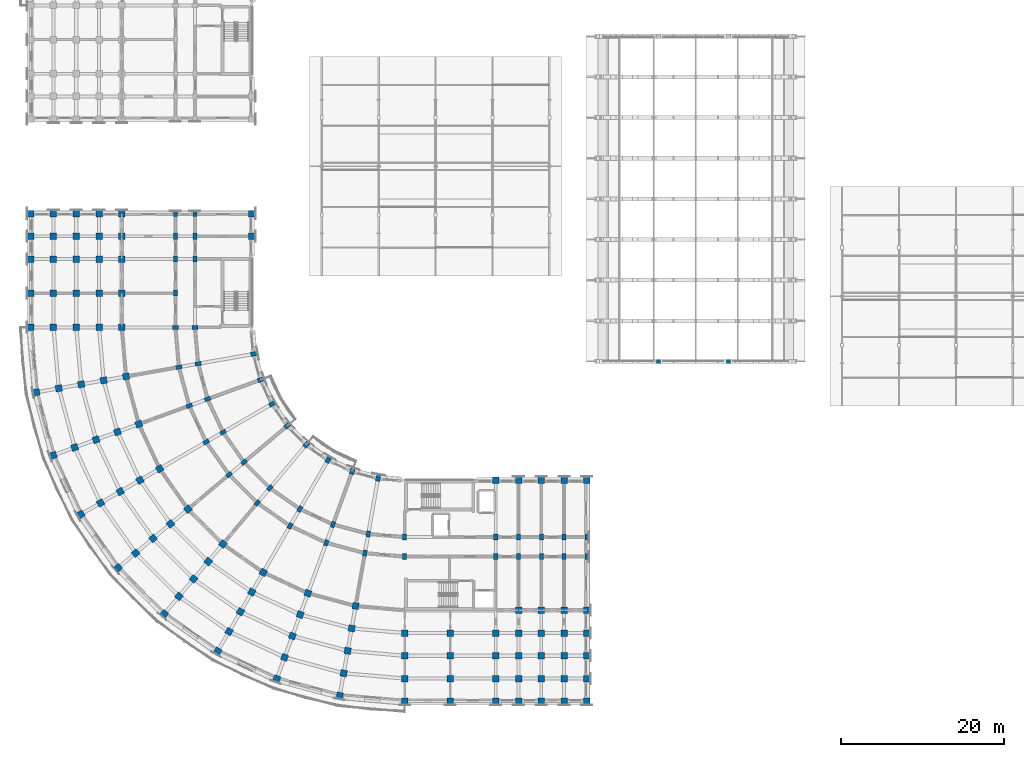
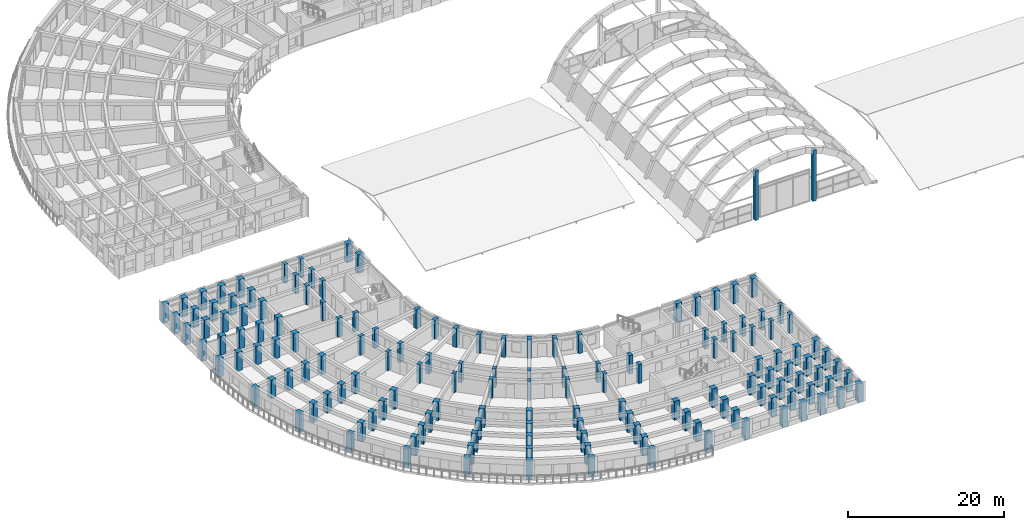
# One storey, part 1 of 76: 151 columns.
"""IFC4 building model written with IfcOpenShell, lengths in metres."""

from ifc_helpers import new_model, si_unit, direction, frame, origin, origin_2d, place, context, subcontext, project, spatial, rectangle, extrude, material, material_profile, profile_set, type_object, element, save


model = new_model("IFC4")

# Units and contexts
model_context = context("Model", 3, precision=1e-05, world=origin(), true_north=direction((0.0, 1.0)))
body_context = subcontext(model_context, "Body", "Model", "MODEL_VIEW")
ifc_project = project(units=[si_unit("LENGTHUNIT", "METRE"), si_unit("AREAUNIT", "SQUARE_METRE"), si_unit("VOLUMEUNIT", "CUBIC_METRE"), si_unit("PLANEANGLEUNIT", "RADIAN"), si_unit("MASSUNIT", "GRAM", prefix="KILO")], contexts=[model_context])

# Site, building, storey
site_placement = place(None, origin())
site = spatial("IfcSite", under=ifc_project, at=site_placement, CompositionType="ELEMENT")
building_placement = place(site_placement, origin())
building = spatial("IfcBuilding", under=site, at=building_placement, Name="Kiranvali Square Residences", CompositionType="ELEMENT")
storey_placement = place(building_placement, frame((0.0, 0.0, 8.699951171875)))
storey = spatial("IfcBuildingStorey", under=building, at=storey_placement, Name="L02", CompositionType="ELEMENT", Elevation=8.699951171875)

# Columns
ifc_material_1 = material(Name="Concrete M40 (40 MPa)", Category="concrete")
ifc_material_profile_1 = material_profile(ifc_material_1, rectangle(XDim=0.5, YDim=0.5, at=origin_2d()), Name="RC 500x500")
ifc_profile_set_1 = profile_set([ifc_material_profile_1], Name="Concrete M40 (40 MPa)")
column_type_1 = type_object("IfcColumnType", Name="COL-M40-500", PredefinedType="COLUMN", material=ifc_profile_set_1)
column_1_placement = place(storey_placement, frame((79.39990234375, 44.0, 0.0), z_axis=(0.0, 0.0, 1.0), x_axis=(1.0, 0.0, 0.0)))
element("IfcColumn", 1, at=column_1_placement, inside=storey, type_object=column_type_1, Name="Community Hall S vault gable post 79.4", PredefinedType="COLUMN", context=body_context, shape_type="SweptSolid", body=[
    extrude(rectangle(XDim=0.5, YDim=0.5, at=origin_2d()), origin(), (0.0, 0.0, 1.0), 7.8779296875),
])
column_2_placement = place(storey_placement, frame((88.0, 44.0, 0.0), z_axis=(0.0, 0.0, 1.0), x_axis=(1.0, 0.0, 0.0)))
element("IfcColumn", 2, at=column_2_placement, inside=storey, type_object=column_type_1, Name="Community Hall S vault gable post 88.0", PredefinedType="COLUMN", context=body_context, shape_type="SweptSolid", body=[
    extrude(rectangle(XDim=0.5, YDim=0.5, at=origin_2d()), origin(), (0.0, 0.0, 1.0), 8.046875),
])
ifc_material_2 = material(Name="Concrete M45 (45 MPa)", Category="concrete")
ifc_material_profile_2 = material_profile(ifc_material_2, rectangle(XDim=0.5, YDim=0.75, at=origin_2d()), Name="RC 750x500")
ifc_profile_set_2 = profile_set([ifc_material_profile_2], Name="Concrete M45 (45 MPa)")
column_type_2 = type_object("IfcColumnType", Name="COL-M45-750x500", PredefinedType="COLUMN", material=ifc_profile_set_2)
for number, where, z_axis, x_axis, name in (
    (3, (48.199951171875, 22.39990234375, 0.0), (0.0, 0.0, 1.0), (1.0, 0.0, 0.0), "Block C L02 radial column A00-R1"),
    (4, (48.199951171875, 20.0, 0.0), (0.0, 0.0, 1.0), (1.0, 0.0, 0.0), "Block C L02 radial column A00-R2"),
    (5, (43.719970703125, 22.7919921875, 0.0), (0.0, 0.0, 1.0), (-0.984807753012, 0.173648177667, 0.0), "Block C L02 radial column A01-R1"),
    (6, (43.30322265625, 20.428466796875, 0.0), (0.0, 0.0, 1.0), (-0.984807753012, 0.173648177667, 0.0), "Block C L02 radial column A01-R2"),
    (7, (39.3759765625, 23.955810546875, 0.0), (0.0, 0.0, 1.0), (-0.939692620786, 0.342020143326, 0.0), "Block C L02 radial column A02-R1"),
    (8, (38.554931640625, 21.70068359375, 0.0), (0.0, 0.0, 1.0), (-0.939692620786, 0.342020143326, 0.0), "Block C L02 radial column A02-R2"),
    (9, (35.300048828125, 25.8564453125, 0.0), (0.0, 0.0, 1.0), (-0.866025403784, 0.5, 0.0), "Block C L02 radial column A03-R1"),
    (10, (34.10009765625, 23.778076171875, 0.0), (0.0, 0.0, 1.0), (-0.866025403784, 0.5, 0.0), "Block C L02 radial column A03-R2"),
    (11, (31.615966796875, 28.43603515625, 0.0), (0.0, 0.0, 1.0), (-0.766044443119, 0.642787609687, 0.0), "Block C L02 radial column A04-R1"),
    (12, (30.073486328125, 26.59765625, 0.0), (0.0, 0.0, 1.0), (-0.766044443119, 0.642787609687, 0.0), "Block C L02 radial column A04-R2"),
    (13, (28.43603515625, 31.615966796875, 0.0), (0.0, 0.0, 1.0), (-0.642787609687, 0.766044443119, 0.0), "Block C L02 radial column A05-R1"),
    (14, (26.59765625, 30.073486328125, 0.0), (0.0, 0.0, 1.0), (-0.642787609687, 0.766044443119, 0.0), "Block C L02 radial column A05-R2"),
    (15, (25.8564453125, 35.300048828125, 0.0), (0.0, 0.0, 1.0), (-0.5, 0.866025403784, 0.0), "Block C L02 radial column A06-R1"),
    (16, (23.778076171875, 34.10009765625, 0.0), (0.0, 0.0, 1.0), (-0.5, 0.866025403784, 0.0), "Block C L02 radial column A06-R2"),
    (17, (23.955810546875, 39.3759765625, 0.0), (0.0, 0.0, 1.0), (-0.342020143326, 0.939692620786, 0.0), "Block C L02 radial column A07-R1"),
    (18, (21.70068359375, 38.554931640625, 0.0), (0.0, 0.0, 1.0), (-0.342020143326, 0.939692620786, 0.0), "Block C L02 radial column A07-R2"),
    (19, (22.7919921875, 43.719970703125, 0.0), (0.0, 0.0, 1.0), (-0.173648177667, 0.984807753012, 0.0), "Block C L02 radial column A08-R1"),
    (20, (20.428466796875, 43.30322265625, 0.0), (0.0, 0.0, 1.0), (-0.173648177667, 0.984807753012, 0.0), "Block C L02 radial column A08-R2"),
    (21, (22.39990234375, 48.199951171875, 0.0), (0.0, 0.0, 1.0), (0.0, 1.0, 0.0), "Block C L02 radial column A09-R1"),
    (22, (20.0, 48.199951171875, 0.0), (0.0, 0.0, 1.0), (0.0, 1.0, 0.0), "Block C L02 radial column A09-R2"),
    (23, (59.39990234375, 22.39990234375, 0.0), (0.0, 0.0, 1.0), (1.0, 0.0, 0.0), "Block C L02 Arm 1 column U1-R1"),
    (24, (59.39990234375, 20.0, 0.0), (0.0, 0.0, 1.0), (1.0, 0.0, 0.0), "Block C L02 Arm 1 column U1-R2"),
    (25, (62.199951171875, 22.39990234375, 0.0), (0.0, 0.0, 1.0), (1.0, 0.0, 0.0), "Block C L02 Arm 1 column U2-R1"),
    (26, (62.199951171875, 20.0, 0.0), (0.0, 0.0, 1.0), (1.0, 0.0, 0.0), "Block C L02 Arm 1 column U2-R2"),
    (27, (65.0, 22.39990234375, 0.0), (0.0, 0.0, 1.0), (1.0, 0.0, 0.0), "Block C L02 Arm 1 column U3-R1"),
    (28, (65.0, 20.0, 0.0), (0.0, 0.0, 1.0), (1.0, 0.0, 0.0), "Block C L02 Arm 1 column U3-R2"),
    (29, (67.800048828125, 22.39990234375, 0.0), (0.0, 0.0, 1.0), (1.0, 0.0, 0.0), "Block C L02 Arm 1 column U4-R1"),
    (30, (67.800048828125, 20.0, 0.0), (0.0, 0.0, 1.0), (1.0, 0.0, 0.0), "Block C L02 Arm 1 column U4-R2"),
    (31, (70.60009765625, 22.39990234375, 0.0), (0.0, 0.0, 1.0), (1.0, 0.0, 0.0), "Block C L02 Arm 1 column U5-R1"),
    (32, (70.60009765625, 20.0, 0.0), (0.0, 0.0, 1.0), (1.0, 0.0, 0.0), "Block C L02 Arm 1 column U5-R2"),
    (33, (20.0, 52.39990234375, 0.0), (0.0, 0.0, 1.0), (1.0, 0.0, 0.0), "Block C L02 Arm 2 mid-core column V0-R2"),
    (34, (22.39990234375, 56.60009765625, 0.0), (0.0, 0.0, 1.0), (1.0, 0.0, 0.0), "Block C L02 Arm 2 column V1-R1"),
    (35, (20.0, 56.60009765625, 0.0), (0.0, 0.0, 1.0), (1.0, 0.0, 0.0), "Block C L02 Arm 2 column V1-R2"),
    (36, (22.39990234375, 59.39990234375, 0.0), (0.0, 0.0, 1.0), (1.0, 0.0, 0.0), "Block C L02 Arm 2 column V2-R1"),
    (37, (20.0, 59.39990234375, 0.0), (0.0, 0.0, 1.0), (1.0, 0.0, 0.0), "Block C L02 Arm 2 column V2-R2"),
    (38, (22.39990234375, 62.199951171875, 0.0), (0.0, 0.0, 1.0), (1.0, 0.0, 0.0), "Block C L02 Arm 2 column V3-R1"),
    (39, (20.0, 62.199951171875, 0.0), (0.0, 0.0, 1.0), (1.0, 0.0, 0.0), "Block C L02 Arm 2 column V3-R2"),
):
    element("IfcColumn", number, at=place(storey_placement, frame(where, z_axis=z_axis, x_axis=x_axis)), inside=storey, type_object=column_type_2, Name=name, PredefinedType="COLUMN", context=body_context, shape_type="SweptSolid", body=[
        extrude(rectangle(XDim=0.5, YDim=0.75, at=origin_2d()), origin(), (0.0, 0.0, 1.0), 2.929931640625),
    ])
ifc_material_3 = material(Name="Concrete M50 (50 MPa)", Category="concrete")
ifc_material_profile_3 = material_profile(ifc_material_3, rectangle(XDim=0.800048828125, YDim=0.800048828125, at=origin_2d()), Name="RC 800x800")
ifc_profile_set_3 = profile_set([ifc_material_profile_3], Name="Concrete M50 (50 MPa)")
column_type_3 = type_object("IfcColumnType", Name="COL-M50-800", PredefinedType="COLUMN", material=ifc_profile_set_3)
for number, where, z_axis, x_axis, name in (
    (40, (48.199951171875, 10.60009765625, 0.0), (0.0, 0.0, 1.0), (1.0, 0.0, 0.0), "Block C L02 radial column A00-R4"),
    (41, (48.199951171875, 7.800048828125, 0.0), (0.0, 0.0, 1.0), (1.0, 0.0, 0.0), "Block C L02 radial column A00-R5"),
    (42, (48.199951171875, 5.0, 0.0), (0.0, 0.0, 1.0), (1.0, 0.0, 0.0), "Block C L02 radial column A00-R6"),
    (43, (48.199951171875, 2.199951171875, 0.0), (0.0, 0.0, 1.0), (1.0, 0.0, 0.0), "Block C L02 radial column A00-R7"),
    (44, (42.156982421875, 13.9287109375, 0.0), (0.0, 0.0, 1.0), (-0.984807753012, 0.173648177667, 0.0), "Block C L02 radial column A01-R3"),
    (45, (41.6708984375, 11.171142578125, 0.0), (0.0, 0.0, 1.0), (-0.984807753012, 0.173648177667, 0.0), "Block C L02 radial column A01-R4"),
    (46, (41.1845703125, 8.413818359375, 0.0), (0.0, 0.0, 1.0), (-0.984807753012, 0.173648177667, 0.0), "Block C L02 radial column A01-R5"),
    (47, (40.698486328125, 5.65625, 0.0), (0.0, 0.0, 1.0), (-0.984807753012, 0.173648177667, 0.0), "Block C L02 radial column A01-R6"),
    (48, (40.212158203125, 2.89892578125, 0.0), (0.0, 0.0, 1.0), (-0.984807753012, 0.173648177667, 0.0), "Block C L02 radial column A01-R7"),
    (49, (36.297607421875, 15.498779296875, 0.0), (0.0, 0.0, 1.0), (-0.939692620786, 0.342020143326, 0.0), "Block C L02 radial column A02-R3"),
    (50, (35.340087890625, 12.86767578125, 0.0), (0.0, 0.0, 1.0), (-0.939692620786, 0.342020143326, 0.0), "Block C L02 radial column A02-R4"),
    (51, (34.38232421875, 10.236328125, 0.0), (0.0, 0.0, 1.0), (-0.939692620786, 0.342020143326, 0.0), "Block C L02 radial column A02-R5"),
    (52, (33.4248046875, 7.605224609375, 0.0), (0.0, 0.0, 1.0), (-0.939692620786, 0.342020143326, 0.0), "Block C L02 radial column A02-R6"),
    (53, (32.467041015625, 4.97412109375, 0.0), (0.0, 0.0, 1.0), (-0.939692620786, 0.342020143326, 0.0), "Block C L02 radial column A02-R7"),
    (54, (30.800048828125, 18.062255859375, 0.0), (0.0, 0.0, 1.0), (-0.866025403784, 0.5, 0.0), "Block C L02 radial column A03-R3"),
    (55, (29.39990234375, 15.637451171875, 0.0), (0.0, 0.0, 1.0), (-0.866025403784, 0.5, 0.0), "Block C L02 radial column A03-R4"),
    (56, (28.0, 13.212646484375, 0.0), (0.0, 0.0, 1.0), (-0.866025403784, 0.5, 0.0), "Block C L02 radial column A03-R5"),
    (57, (26.60009765625, 10.78759765625, 0.0), (0.0, 0.0, 1.0), (-0.866025403784, 0.5, 0.0), "Block C L02 radial column A03-R6"),
    (58, (25.199951171875, 8.36279296875, 0.0), (0.0, 0.0, 1.0), (-0.866025403784, 0.5, 0.0), "Block C L02 radial column A03-R7"),
    (59, (25.8310546875, 21.541748046875, 0.0), (0.0, 0.0, 1.0), (-0.766044443119, 0.642787609687, 0.0), "Block C L02 radial column A04-R3"),
    (60, (24.03125, 19.396728515625, 0.0), (0.0, 0.0, 1.0), (-0.766044443119, 0.642787609687, 0.0), "Block C L02 radial column A04-R4"),
    (61, (22.2314453125, 17.251708984375, 0.0), (0.0, 0.0, 1.0), (-0.766044443119, 0.642787609687, 0.0), "Block C L02 radial column A04-R5"),
    (62, (20.431640625, 15.10693359375, 0.0), (0.0, 0.0, 1.0), (-0.766044443119, 0.642787609687, 0.0), "Block C L02 radial column A04-R6"),
    (63, (18.6318359375, 12.9619140625, 0.0), (0.0, 0.0, 1.0), (-0.766044443119, 0.642787609687, 0.0), "Block C L02 radial column A04-R7"),
    (64, (21.541748046875, 25.8310546875, 0.0), (0.0, 0.0, 1.0), (-0.642787609687, 0.766044443119, 0.0), "Block C L02 radial column A05-R3"),
    (65, (19.396728515625, 24.03125, 0.0), (0.0, 0.0, 1.0), (-0.642787609687, 0.766044443119, 0.0), "Block C L02 radial column A05-R4"),
    (66, (17.251708984375, 22.2314453125, 0.0), (0.0, 0.0, 1.0), (-0.642787609687, 0.766044443119, 0.0), "Block C L02 radial column A05-R5"),
    (67, (15.10693359375, 20.431640625, 0.0), (0.0, 0.0, 1.0), (-0.642787609687, 0.766044443119, 0.0), "Block C L02 radial column A05-R6"),
    (68, (12.9619140625, 18.6318359375, 0.0), (0.0, 0.0, 1.0), (-0.642787609687, 0.766044443119, 0.0), "Block C L02 radial column A05-R7"),
    (69, (18.062255859375, 30.800048828125, 0.0), (0.0, 0.0, 1.0), (-0.5, 0.866025403784, 0.0), "Block C L02 radial column A06-R3"),
    (70, (15.637451171875, 29.39990234375, 0.0), (0.0, 0.0, 1.0), (-0.5, 0.866025403784, 0.0), "Block C L02 radial column A06-R4"),
    (71, (13.212646484375, 28.0, 0.0), (0.0, 0.0, 1.0), (-0.5, 0.866025403784, 0.0), "Block C L02 radial column A06-R5"),
    (72, (10.78759765625, 26.60009765625, 0.0), (0.0, 0.0, 1.0), (-0.5, 0.866025403784, 0.0), "Block C L02 radial column A06-R6"),
    (73, (8.36279296875, 25.199951171875, 0.0), (0.0, 0.0, 1.0), (-0.5, 0.866025403784, 0.0), "Block C L02 radial column A06-R7"),
    (74, (15.498779296875, 36.297607421875, 0.0), (0.0, 0.0, 1.0), (-0.342020143326, 0.939692620786, 0.0), "Block C L02 radial column A07-R3"),
    (75, (12.86767578125, 35.340087890625, 0.0), (0.0, 0.0, 1.0), (-0.342020143326, 0.939692620786, 0.0), "Block C L02 radial column A07-R4"),
    (76, (10.236328125, 34.38232421875, 0.0), (0.0, 0.0, 1.0), (-0.342020143326, 0.939692620786, 0.0), "Block C L02 radial column A07-R5"),
    (77, (7.605224609375, 33.4248046875, 0.0), (0.0, 0.0, 1.0), (-0.342020143326, 0.939692620786, 0.0), "Block C L02 radial column A07-R6"),
    (78, (4.97412109375, 32.467041015625, 0.0), (0.0, 0.0, 1.0), (-0.342020143326, 0.939692620786, 0.0), "Block C L02 radial column A07-R7"),
    (79, (13.9287109375, 42.156982421875, 0.0), (0.0, 0.0, 1.0), (-0.173648177667, 0.984807753012, 0.0), "Block C L02 radial column A08-R3"),
    (80, (11.171142578125, 41.6708984375, 0.0), (0.0, 0.0, 1.0), (-0.173648177667, 0.984807753012, 0.0), "Block C L02 radial column A08-R4"),
    (81, (8.413818359375, 41.1845703125, 0.0), (0.0, 0.0, 1.0), (-0.173648177667, 0.984807753012, 0.0), "Block C L02 radial column A08-R5"),
    (82, (5.65625, 40.698486328125, 0.0), (0.0, 0.0, 1.0), (-0.173648177667, 0.984807753012, 0.0), "Block C L02 radial column A08-R6"),
    (83, (2.89892578125, 40.212158203125, 0.0), (0.0, 0.0, 1.0), (-0.173648177667, 0.984807753012, 0.0), "Block C L02 radial column A08-R7"),
    (84, (13.39990234375, 48.199951171875, 0.0), (0.0, 0.0, 1.0), (0.0, 1.0, 0.0), "Block C L02 radial column A09-R3"),
    (85, (10.60009765625, 48.199951171875, 0.0), (0.0, 0.0, 1.0), (0.0, 1.0, 0.0), "Block C L02 radial column A09-R4"),
    (86, (7.800048828125, 48.199951171875, 0.0), (0.0, 0.0, 1.0), (0.0, 1.0, 0.0), "Block C L02 radial column A09-R5"),
    (87, (5.0, 48.199951171875, 0.0), (0.0, 0.0, 1.0), (0.0, 1.0, 0.0), "Block C L02 radial column A09-R6"),
    (88, (2.199951171875, 48.199951171875, 0.0), (0.0, 0.0, 1.0), (0.0, 1.0, 0.0), "Block C L02 radial column A09-R7"),
    (89, (53.800048828125, 10.60009765625, 0.0), (0.0, 0.0, 1.0), (1.0, 0.0, 0.0), "Block C L02 core-front column U0-R4"),
    (90, (53.800048828125, 7.800048828125, 0.0), (0.0, 0.0, 1.0), (1.0, 0.0, 0.0), "Block C L02 core-front column U0-R5"),
    (91, (53.800048828125, 5.0, 0.0), (0.0, 0.0, 1.0), (1.0, 0.0, 0.0), "Block C L02 core-front column U0-R6"),
    (92, (53.800048828125, 2.199951171875, 0.0), (0.0, 0.0, 1.0), (1.0, 0.0, 0.0), "Block C L02 core-front column U0-R7"),
    (93, (59.39990234375, 29.39990234375, 0.0), (0.0, 0.0, 1.0), (1.0, 0.0, 0.0), "Block C L02 Arm 1 column U1-R0"),
    (94, (59.39990234375, 10.60009765625, 0.0), (0.0, 0.0, 1.0), (1.0, 0.0, 0.0), "Block C L02 Arm 1 column U1-R4"),
    (95, (59.39990234375, 7.800048828125, 0.0), (0.0, 0.0, 1.0), (1.0, 0.0, 0.0), "Block C L02 Arm 1 column U1-R5"),
    (96, (59.39990234375, 5.0, 0.0), (0.0, 0.0, 1.0), (1.0, 0.0, 0.0), "Block C L02 Arm 1 column U1-R6"),
    (97, (59.39990234375, 2.199951171875, 0.0), (0.0, 0.0, 1.0), (1.0, 0.0, 0.0), "Block C L02 Arm 1 column U1-R7"),
    (98, (62.199951171875, 29.39990234375, 0.0), (0.0, 0.0, 1.0), (1.0, 0.0, 0.0), "Block C L02 Arm 1 column U2-R0"),
    (99, (62.199951171875, 13.39990234375, 0.0), (0.0, 0.0, 1.0), (1.0, 0.0, 0.0), "Block C L02 Arm 1 column U2-R3"),
    (100, (62.199951171875, 10.60009765625, 0.0), (0.0, 0.0, 1.0), (1.0, 0.0, 0.0), "Block C L02 Arm 1 column U2-R4"),
    (101, (62.199951171875, 7.800048828125, 0.0), (0.0, 0.0, 1.0), (1.0, 0.0, 0.0), "Block C L02 Arm 1 column U2-R5"),
    (102, (62.199951171875, 5.0, 0.0), (0.0, 0.0, 1.0), (1.0, 0.0, 0.0), "Block C L02 Arm 1 column U2-R6"),
    (103, (62.199951171875, 2.199951171875, 0.0), (0.0, 0.0, 1.0), (1.0, 0.0, 0.0), "Block C L02 Arm 1 column U2-R7"),
    (104, (65.0, 29.39990234375, 0.0), (0.0, 0.0, 1.0), (1.0, 0.0, 0.0), "Block C L02 Arm 1 column U3-R0"),
    (105, (65.0, 13.39990234375, 0.0), (0.0, 0.0, 1.0), (1.0, 0.0, 0.0), "Block C L02 Arm 1 column U3-R3"),
    (106, (65.0, 10.60009765625, 0.0), (0.0, 0.0, 1.0), (1.0, 0.0, 0.0), "Block C L02 Arm 1 column U3-R4"),
    (107, (65.0, 7.800048828125, 0.0), (0.0, 0.0, 1.0), (1.0, 0.0, 0.0), "Block C L02 Arm 1 column U3-R5"),
    (108, (65.0, 5.0, 0.0), (0.0, 0.0, 1.0), (1.0, 0.0, 0.0), "Block C L02 Arm 1 column U3-R6"),
    (109, (65.0, 2.199951171875, 0.0), (0.0, 0.0, 1.0), (1.0, 0.0, 0.0), "Block C L02 Arm 1 column U3-R7"),
    (110, (67.800048828125, 29.39990234375, 0.0), (0.0, 0.0, 1.0), (1.0, 0.0, 0.0), "Block C L02 Arm 1 column U4-R0"),
    (111, (67.800048828125, 13.39990234375, 0.0), (0.0, 0.0, 1.0), (1.0, 0.0, 0.0), "Block C L02 Arm 1 column U4-R3"),
    (112, (67.800048828125, 10.60009765625, 0.0), (0.0, 0.0, 1.0), (1.0, 0.0, 0.0), "Block C L02 Arm 1 column U4-R4"),
    (113, (67.800048828125, 7.800048828125, 0.0), (0.0, 0.0, 1.0), (1.0, 0.0, 0.0), "Block C L02 Arm 1 column U4-R5"),
    (114, (67.800048828125, 5.0, 0.0), (0.0, 0.0, 1.0), (1.0, 0.0, 0.0), "Block C L02 Arm 1 column U4-R6"),
    (115, (67.800048828125, 2.199951171875, 0.0), (0.0, 0.0, 1.0), (1.0, 0.0, 0.0), "Block C L02 Arm 1 column U4-R7"),
    (116, (70.60009765625, 29.39990234375, 0.0), (0.0, 0.0, 1.0), (1.0, 0.0, 0.0), "Block C L02 Arm 1 column U5-R0"),
    (117, (70.60009765625, 13.39990234375, 0.0), (0.0, 0.0, 1.0), (1.0, 0.0, 0.0), "Block C L02 Arm 1 column U5-R3"),
    (118, (70.60009765625, 10.60009765625, 0.0), (0.0, 0.0, 1.0), (1.0, 0.0, 0.0), "Block C L02 Arm 1 column U5-R4"),
    (119, (70.60009765625, 7.800048828125, 0.0), (0.0, 0.0, 1.0), (1.0, 0.0, 0.0), "Block C L02 Arm 1 column U5-R5"),
    (120, (70.60009765625, 5.0, 0.0), (0.0, 0.0, 1.0), (1.0, 0.0, 0.0), "Block C L02 Arm 1 column U5-R6"),
    (121, (70.60009765625, 2.199951171875, 0.0), (0.0, 0.0, 1.0), (1.0, 0.0, 0.0), "Block C L02 Arm 1 column U5-R7"),
    (122, (13.39990234375, 52.39990234375, 0.0), (0.0, 0.0, 1.0), (1.0, 0.0, 0.0), "Block C L02 Arm 2 mid-core column V0-R3"),
    (123, (10.60009765625, 52.39990234375, 0.0), (0.0, 0.0, 1.0), (1.0, 0.0, 0.0), "Block C L02 Arm 2 mid-core column V0-R4"),
    (124, (7.800048828125, 52.39990234375, 0.0), (0.0, 0.0, 1.0), (1.0, 0.0, 0.0), "Block C L02 Arm 2 mid-core column V0-R5"),
    (125, (5.0, 52.39990234375, 0.0), (0.0, 0.0, 1.0), (1.0, 0.0, 0.0), "Block C L02 Arm 2 mid-core column V0-R6"),
    (126, (2.199951171875, 52.39990234375, 0.0), (0.0, 0.0, 1.0), (1.0, 0.0, 0.0), "Block C L02 Arm 2 mid-core column V0-R7"),
    (127, (13.39990234375, 56.60009765625, 0.0), (0.0, 0.0, 1.0), (1.0, 0.0, 0.0), "Block C L02 Arm 2 column V1-R3"),
    (128, (10.60009765625, 56.60009765625, 0.0), (0.0, 0.0, 1.0), (1.0, 0.0, 0.0), "Block C L02 Arm 2 column V1-R4"),
    (129, (7.800048828125, 56.60009765625, 0.0), (0.0, 0.0, 1.0), (1.0, 0.0, 0.0), "Block C L02 Arm 2 column V1-R5"),
    (130, (5.0, 56.60009765625, 0.0), (0.0, 0.0, 1.0), (1.0, 0.0, 0.0), "Block C L02 Arm 2 column V1-R6"),
    (131, (2.199951171875, 56.60009765625, 0.0), (0.0, 0.0, 1.0), (1.0, 0.0, 0.0), "Block C L02 Arm 2 column V1-R7"),
    (132, (29.39990234375, 59.39990234375, 0.0), (0.0, 0.0, 1.0), (1.0, 0.0, 0.0), "Block C L02 Arm 2 column V2-R0"),
    (133, (13.39990234375, 59.39990234375, 0.0), (0.0, 0.0, 1.0), (1.0, 0.0, 0.0), "Block C L02 Arm 2 column V2-R3"),
    (134, (10.60009765625, 59.39990234375, 0.0), (0.0, 0.0, 1.0), (1.0, 0.0, 0.0), "Block C L02 Arm 2 column V2-R4"),
    (135, (7.800048828125, 59.39990234375, 0.0), (0.0, 0.0, 1.0), (1.0, 0.0, 0.0), "Block C L02 Arm 2 column V2-R5"),
    (136, (5.0, 59.39990234375, 0.0), (0.0, 0.0, 1.0), (1.0, 0.0, 0.0), "Block C L02 Arm 2 column V2-R6"),
    (137, (2.199951171875, 59.39990234375, 0.0), (0.0, 0.0, 1.0), (1.0, 0.0, 0.0), "Block C L02 Arm 2 column V2-R7"),
    (138, (29.39990234375, 62.199951171875, 0.0), (0.0, 0.0, 1.0), (1.0, 0.0, 0.0), "Block C L02 Arm 2 column V3-R0"),
    (139, (13.39990234375, 62.199951171875, 0.0), (0.0, 0.0, 1.0), (1.0, 0.0, 0.0), "Block C L02 Arm 2 column V3-R3"),
    (140, (10.60009765625, 62.199951171875, 0.0), (0.0, 0.0, 1.0), (1.0, 0.0, 0.0), "Block C L02 Arm 2 column V3-R4"),
    (141, (7.800048828125, 62.199951171875, 0.0), (0.0, 0.0, 1.0), (1.0, 0.0, 0.0), "Block C L02 Arm 2 column V3-R5"),
    (142, (5.0, 62.199951171875, 0.0), (0.0, 0.0, 1.0), (1.0, 0.0, 0.0), "Block C L02 Arm 2 column V3-R6"),
    (143, (2.199951171875, 62.199951171875, 0.0), (0.0, 0.0, 1.0), (1.0, 0.0, 0.0), "Block C L02 Arm 2 column V3-R7"),
):
    element("IfcColumn", number, at=place(storey_placement, frame(where, z_axis=z_axis, x_axis=x_axis)), inside=storey, type_object=column_type_3, Name=name, PredefinedType="COLUMN", context=body_context, shape_type="SweptSolid", body=[
        extrude(rectangle(XDim=0.800048828125, YDim=0.800048828125, at=origin_2d()), origin(), (0.0, 0.0, 1.0), 2.929931640625),
    ])
ifc_material_profile_4 = material_profile(ifc_material_3, rectangle(XDim=0.550048828125, YDim=0.85009765625, at=origin_2d()), Name="RC 850x550")
ifc_profile_set_4 = profile_set([ifc_material_profile_4], Name="Concrete M50 (50 MPa)")
column_type_4 = type_object("IfcColumnType", Name="COL-M50-850x550", PredefinedType="COLUMN", material=ifc_profile_set_4)
for number, where, z_axis, x_axis, name in (
    (144, (44.935302734375, 29.685546875, 0.0), (0.0, 0.0, 1.0), (-0.984807753012, 0.173648177667, 0.0), "Block C L02 radial column A01-R0"),
    (145, (41.77001953125, 30.53369140625, 0.0), (0.0, 0.0, 1.0), (-0.939692620786, 0.342020143326, 0.0), "Block C L02 radial column A02-R0"),
    (146, (38.800048828125, 31.918701171875, 0.0), (0.0, 0.0, 1.0), (-0.866025403784, 0.5, 0.0), "Block C L02 radial column A03-R0"),
    (147, (36.115478515625, 33.79833984375, 0.0), (0.0, 0.0, 1.0), (-0.766044443119, 0.642787609687, 0.0), "Block C L02 radial column A04-R0"),
    (148, (33.79833984375, 36.115478515625, 0.0), (0.0, 0.0, 1.0), (-0.642787609687, 0.766044443119, 0.0), "Block C L02 radial column A05-R0"),
    (149, (31.918701171875, 38.800048828125, 0.0), (0.0, 0.0, 1.0), (-0.5, 0.866025403784, 0.0), "Block C L02 radial column A06-R0"),
    (150, (30.53369140625, 41.77001953125, 0.0), (0.0, 0.0, 1.0), (-0.342020143326, 0.939692620786, 0.0), "Block C L02 radial column A07-R0"),
    (151, (29.685546875, 44.935302734375, 0.0), (0.0, 0.0, 1.0), (-0.173648177667, 0.984807753012, 0.0), "Block C L02 radial column A08-R0"),
):
    element("IfcColumn", number, at=place(storey_placement, frame(where, z_axis=z_axis, x_axis=x_axis)), inside=storey, type_object=column_type_4, Name=name, PredefinedType="COLUMN", context=body_context, shape_type="SweptSolid", body=[
        extrude(rectangle(XDim=0.550048828125, YDim=0.85009765625, at=origin_2d()), origin(), (0.0, 0.0, 1.0), 2.929931640625),
    ])

save(model, "model.ifc")
